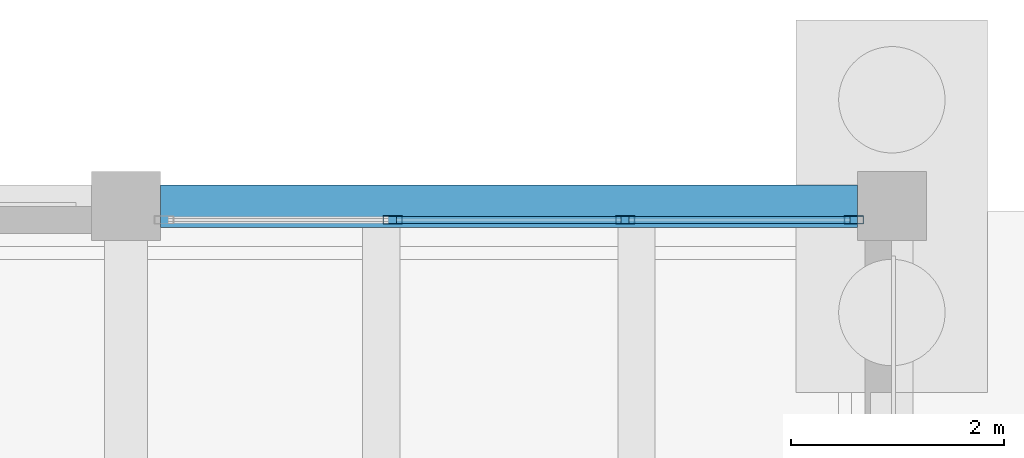
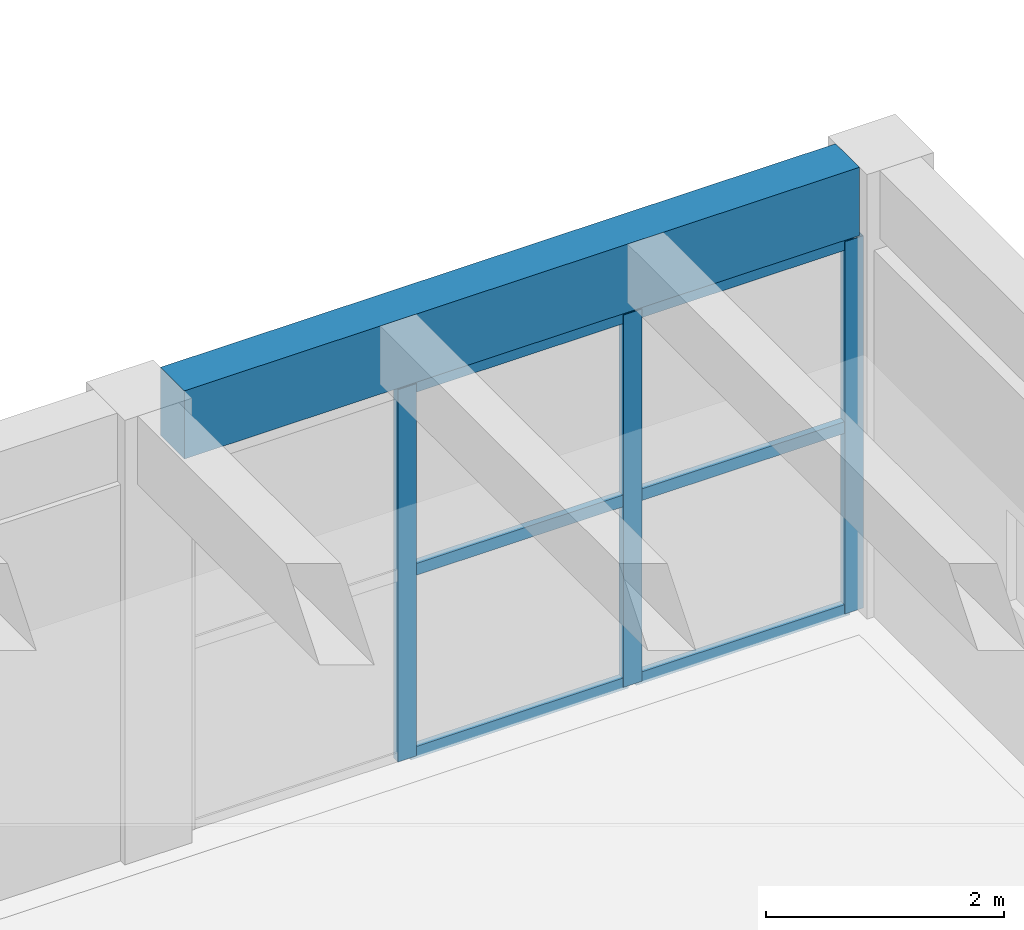
# One storey, part 84 of 155: 9 members, 1 beam, 1 element without a shape of its own.
"""IFC4 building model written with IfcOpenShell, lengths in metres."""

from ifc_helpers import new_model, si_unit, direction, frame, origin, origin_2d, place, context, subcontext, project, spatial, rectangle, hollow_rectangle, extrude, material, material_profile, profile_set, type_object, element, aggregate, save


model = new_model("IFC4")

# Units and contexts
model_context = context("Model", 3, precision=1e-05, world=origin(), true_north=direction((0.0, 1.0)))
body_context = subcontext(model_context, "Body", "Model", "MODEL_VIEW")
ifc_project = project(units=[si_unit("LENGTHUNIT", "METRE"), si_unit("AREAUNIT", "SQUARE_METRE"), si_unit("VOLUMEUNIT", "CUBIC_METRE"), si_unit("PLANEANGLEUNIT", "RADIAN"), si_unit("MASSUNIT", "GRAM", prefix="KILO")], contexts=[model_context])

# Site, building, storey
site_placement = place(None, origin())
site = spatial("IfcSite", under=ifc_project, at=site_placement, CompositionType="ELEMENT")
building_placement = place(site_placement, origin())
building = spatial("IfcBuilding", under=site, at=building_placement, Name="Bramvelor Terrace Health Centre", CompositionType="ELEMENT")
storey_placement = place(building_placement, origin())
storey = spatial("IfcBuildingStorey", under=building, at=storey_placement, Name="L01", CompositionType="ELEMENT", Elevation=0.0)

# Beam
ifc_material_1 = material(Name="Concrete C40/50", Category="concrete")
ifc_material_profile_1 = material_profile(ifc_material_1, rectangle(XDim=0.39990234375, YDim=0.699951171875, at=origin_2d()), Name="RC 400x700")
ifc_profile_set_1 = profile_set([ifc_material_profile_1], Name="Concrete C40/50")
beam_type = type_object("IfcBeamType", Name="BM-RC-SP700-EXT", PredefinedType="SPANDREL", material=ifc_profile_set_1)
beam_placement = place(storey_placement, frame((29.125, 115.199951171875, 4.2099609375), z_axis=(1.0, 0.0, 0.0), x_axis=(0.0, 1.0, 0.0)))
element("IfcBeam", 1, at=beam_placement, inside=storey, type_object=beam_type, Name="L01 Floor Girder", PredefinedType="SPANDREL", context=body_context, shape_type="SweptSolid", body=[
    extrude(rectangle(XDim=0.39990234375, YDim=0.699951171875, at=origin_2d()), origin(), (0.0, 0.0, 1.0), 6.550048828125),
])

# Curtain wall, members
ifc_material_2 = material(Name="Anodized aluminium and double low-E glass", Category="aluminium")
curtain_wall_type = type_object("IfcCurtainWallType", Name="CW-SYS-05", PredefinedType="NOTDEFINED", material=ifc_material_2)
curtain_wall_placement = place(storey_placement, origin())
curtain_wall = element("IfcCurtainWall", 2, at=curtain_wall_placement, inside=storey, type_object=curtain_wall_type, Name="L01 Unitized Curtain Wall 20", PredefinedType="NOTDEFINED")
ifc_material_3 = material(Name="Anodized aluminium 6063-T6", Category="aluminium")
ifc_material_profile_2 = material_profile(ifc_material_3, hollow_rectangle(XDim=0.074951171875, YDim=0.179931640625, WallThickness=0.00341796875, at=origin_2d()), Name="ALU-MUL 75x180x3.5")
ifc_profile_set_2 = profile_set([ifc_material_profile_2], Name="Anodized aluminium 6063-T6")
member_type_1 = type_object("IfcMemberType", Name="CW-MUL-65x180", PredefinedType="MULLION", material=ifc_profile_set_2)
member_1_placement = place(storey_placement, frame((31.306640625, 115.070068359375, 0.0), z_axis=(0.0, 0.0, 1.0), x_axis=(0.0, 1.0, 0.0)))
member_1 = element("IfcMember", 3, at=member_1_placement, type_object=member_type_1, Name="CW-05 mullion 2", PredefinedType="MULLION", context=body_context, shape_type="SweptSolid", body=[
    extrude(hollow_rectangle(XDim=0.074951171875, YDim=0.179931640625, WallThickness=0.00341796875, at=origin_2d()), origin(), (0.0, 0.0, 1.0), 3.820068359375),
])
member_2_placement = place(storey_placement, frame((33.493408203125, 115.070068359375, 0.0), z_axis=(0.0, 0.0, 1.0), x_axis=(0.0, 1.0, 0.0)))
member_2 = element("IfcMember", 4, at=member_2_placement, type_object=member_type_1, Name="CW-05 mullion 3", PredefinedType="MULLION", context=body_context, shape_type="SweptSolid", body=[
    extrude(hollow_rectangle(XDim=0.074951171875, YDim=0.179931640625, WallThickness=0.00341796875, at=origin_2d()), origin(), (0.0, 0.0, 1.0), 3.820068359375),
])
member_3_placement = place(storey_placement, frame((35.642578125, 115.070068359375, 0.0), z_axis=(0.0, 0.0, 1.0), x_axis=(0.0, 1.0, 0.0)))
member_3 = element("IfcMember", 5, at=member_3_placement, type_object=member_type_1, Name="CW-05 mullion 4", PredefinedType="MULLION", context=body_context, shape_type="SweptSolid", body=[
    extrude(hollow_rectangle(XDim=0.074951171875, YDim=0.179931640625, WallThickness=0.00341796875, at=origin_2d()), origin(), (0.0, 0.0, 1.0), 3.820068359375),
])
ifc_material_4 = material(Name="Anodized aluminium 6063-T6", Category="aluminium")
ifc_material_profile_3 = material_profile(ifc_material_4, hollow_rectangle(XDim=0.06494140625, YDim=0.1201171875, WallThickness=0.0029296875, at=origin_2d()), Name="ALU-TRN 65x120x3.0")
ifc_profile_set_3 = profile_set([ifc_material_profile_3], Name="Anodized aluminium 6063-T6")
member_type_2 = type_object("IfcMemberType", Name="CW-TRN-65x150", PredefinedType="USERDEFINED", material=ifc_profile_set_3)
member_4_placement = place(storey_placement, frame((31.34423828125, 115.070068359375, 0.032470703125), z_axis=(1.0, 0.0, 0.0), x_axis=(0.0, 1.0, 0.0)))
member_4 = element("IfcMember", 6, at=member_4_placement, type_object=member_type_2, Name="CW-05 transom 2.1", ObjectType="TRANSOM", PredefinedType="USERDEFINED", context=body_context, shape_type="SweptSolid", body=[
    extrude(hollow_rectangle(XDim=0.06494140625, YDim=0.1201171875, WallThickness=0.0029296875, at=origin_2d()), origin(), (0.0, 0.0, 1.0), 2.111572265625),
])
member_5_placement = place(storey_placement, frame((31.34423828125, 115.070068359375, 1.909912109375), z_axis=(1.0, 0.0, 0.0), x_axis=(0.0, 1.0, 0.0)))
member_5 = element("IfcMember", 7, at=member_5_placement, type_object=member_type_2, Name="CW-05 transom 2.2", ObjectType="TRANSOM", PredefinedType="USERDEFINED", context=body_context, shape_type="SweptSolid", body=[
    extrude(hollow_rectangle(XDim=0.06494140625, YDim=0.1201171875, WallThickness=0.0029296875, at=origin_2d()), origin(), (0.0, 0.0, 1.0), 2.111572265625),
])
member_6_placement = place(storey_placement, frame((31.34423828125, 115.070068359375, 3.78759765625), z_axis=(1.0, 0.0, 0.0), x_axis=(0.0, 1.0, 0.0)))
member_6 = element("IfcMember", 8, at=member_6_placement, type_object=member_type_2, Name="CW-05 transom 2.3", ObjectType="TRANSOM", PredefinedType="USERDEFINED", context=body_context, shape_type="SweptSolid", body=[
    extrude(hollow_rectangle(XDim=0.06494140625, YDim=0.1201171875, WallThickness=0.0029296875, at=origin_2d()), origin(), (0.0, 0.0, 1.0), 2.111572265625),
])
member_7_placement = place(storey_placement, frame((33.53076171875, 115.070068359375, 0.032470703125), z_axis=(1.0, 0.0, 0.0), x_axis=(0.0, 1.0, 0.0)))
member_7 = element("IfcMember", 9, at=member_7_placement, type_object=member_type_2, Name="CW-05 transom 3.1", ObjectType="TRANSOM", PredefinedType="USERDEFINED", context=body_context, shape_type="SweptSolid", body=[
    extrude(hollow_rectangle(XDim=0.06494140625, YDim=0.1201171875, WallThickness=0.0029296875, at=origin_2d()), origin(), (0.0, 0.0, 1.0), 2.07421875),
])
member_8_placement = place(storey_placement, frame((33.53076171875, 115.070068359375, 1.909912109375), z_axis=(1.0, 0.0, 0.0), x_axis=(0.0, 1.0, 0.0)))
member_8 = element("IfcMember", 10, at=member_8_placement, type_object=member_type_2, Name="CW-05 transom 3.2", ObjectType="TRANSOM", PredefinedType="USERDEFINED", context=body_context, shape_type="SweptSolid", body=[
    extrude(hollow_rectangle(XDim=0.06494140625, YDim=0.1201171875, WallThickness=0.0029296875, at=origin_2d()), origin(), (0.0, 0.0, 1.0), 2.07421875),
])
member_9_placement = place(storey_placement, frame((33.53076171875, 115.070068359375, 3.78759765625), z_axis=(1.0, 0.0, 0.0), x_axis=(0.0, 1.0, 0.0)))
member_9 = element("IfcMember", 11, at=member_9_placement, type_object=member_type_2, Name="CW-05 transom 3.3", ObjectType="TRANSOM", PredefinedType="USERDEFINED", context=body_context, shape_type="SweptSolid", body=[
    extrude(hollow_rectangle(XDim=0.06494140625, YDim=0.1201171875, WallThickness=0.0029296875, at=origin_2d()), origin(), (0.0, 0.0, 1.0), 2.07421875),
])
aggregate(curtain_wall, [member_1, member_2, member_3, member_4, member_5, member_6, member_7, member_8, member_9])

save(model, "model.ifc")
